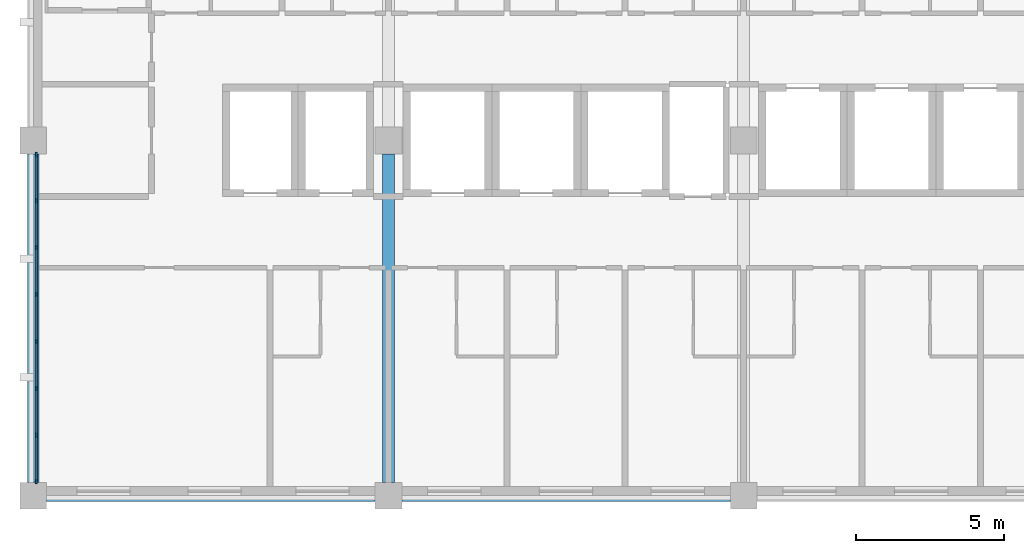
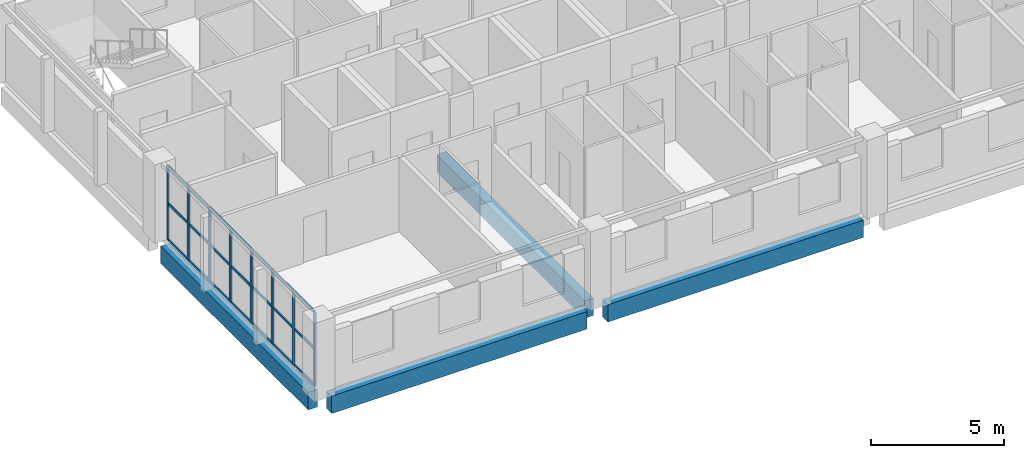
# One storey, part 2 of 11: 29 members, 4 beams, 1 element without a shape of its own.
"""IFC4 building model written with IfcOpenShell, lengths in metres."""

from ifc_helpers import new_model, si_unit, direction, frame, origin, origin_2d, place, context, subcontext, project, spatial, rectangle, extrude, material, layer, layer_set, material_profile, profile_set, type_object, element, aggregate, save


model = new_model("IFC4")

# Units and contexts
model_context = context("Model", 3, precision=1e-05, world=origin(), true_north=direction((0.0, 1.0)))
body_context = subcontext(model_context, "Body", "Model", "MODEL_VIEW")
ifc_project = project(units=[si_unit("LENGTHUNIT", "METRE"), si_unit("AREAUNIT", "SQUARE_METRE"), si_unit("VOLUMEUNIT", "CUBIC_METRE"), si_unit("PLANEANGLEUNIT", "RADIAN"), si_unit("MASSUNIT", "GRAM", prefix="KILO")], contexts=[model_context])

# Site, building, storey
site_placement = place(None, origin())
site = spatial("IfcSite", under=ifc_project, at=site_placement, CompositionType="ELEMENT")
building_placement = place(site_placement, origin())
building = spatial("IfcBuilding", under=site, at=building_placement, Name="Lilac Gate Convention Centre", CompositionType="ELEMENT")
storey_placement = place(building_placement, frame((0.0, 0.0, 24.60009765625)))
storey = spatial("IfcBuildingStorey", under=building, at=storey_placement, Name="L05", CompositionType="ELEMENT", Elevation=24.60009765625)

# Curtain wall, members
ifc_material_1 = material(Name="Aluminium framed double glazing", Category="aluminium")
ifc_layer = layer(ifc_material_1, 0.199951171875)
ifc_layer_set = layer_set([ifc_layer], Name="Aluminium framed double glazing")
curtain_wall_type = type_object("IfcCurtainWallType", Name="Unitised curtain wall 1500", PredefinedType="NOTDEFINED", material=ifc_layer_set)
curtain_wall_placement = place(storey_placement, origin())
curtain_wall = element("IfcCurtainWall", 1, at=curtain_wall_placement, inside=storey, type_object=curtain_wall_type, Name="Curtain wall W L05 2", PredefinedType="NOTDEFINED")
ifc_material_2 = material(Name="Aluminium alloy 6063", Category="aluminium")
ifc_material_profile_1 = material_profile(ifc_material_2, rectangle(XDim=0.06005859375, YDim=0.159912109375, at=origin_2d()), Name="Curtain wall mullion 60 x 160")
ifc_profile_set_1 = profile_set([ifc_material_profile_1], Name="Aluminium alloy 6063")
member_type_1 = type_object("IfcMemberType", Name="Curtain wall mullion 60 x 160", PredefinedType="MULLION", material=ifc_profile_set_1)
member_1_placement = place(storey_placement, frame((42.10009765625, 233.52001953125, 0.0), z_axis=(0.0, 0.0, 1.0), x_axis=(1.0, 0.0, 0.0)))
member_1 = element("IfcMember", 2, at=member_1_placement, type_object=member_type_1, Name="CW mullion 1", PredefinedType="MULLION", context=body_context, shape_type="SweptSolid", body=[
    extrude(rectangle(XDim=0.06005859375, YDim=0.159912109375, at=origin_2d()), origin(), (0.0, 0.0, 1.0), 3.39990234375),
])
member_2_placement = place(storey_placement, frame((42.10009765625, 231.96435546875, 0.0), z_axis=(0.0, 0.0, 1.0), x_axis=(1.0, 0.0, 0.0)))
member_2 = element("IfcMember", 3, at=member_2_placement, type_object=member_type_1, Name="CW mullion 2", PredefinedType="MULLION", context=body_context, shape_type="SweptSolid", body=[
    extrude(rectangle(XDim=0.06005859375, YDim=0.159912109375, at=origin_2d()), origin(), (0.0, 0.0, 1.0), 3.39990234375),
])
member_3_placement = place(storey_placement, frame((42.10009765625, 230.378662109375, 0.0), z_axis=(0.0, 0.0, 1.0), x_axis=(1.0, 0.0, 0.0)))
member_3 = element("IfcMember", 4, at=member_3_placement, type_object=member_type_1, Name="CW mullion 3", PredefinedType="MULLION", context=body_context, shape_type="SweptSolid", body=[
    extrude(rectangle(XDim=0.06005859375, YDim=0.159912109375, at=origin_2d()), origin(), (0.0, 0.0, 1.0), 3.39990234375),
])
member_4_placement = place(storey_placement, frame((42.10009765625, 228.79296875, 0.0), z_axis=(0.0, 0.0, 1.0), x_axis=(1.0, 0.0, 0.0)))
member_4 = element("IfcMember", 5, at=member_4_placement, type_object=member_type_1, Name="CW mullion 4", PredefinedType="MULLION", context=body_context, shape_type="SweptSolid", body=[
    extrude(rectangle(XDim=0.06005859375, YDim=0.159912109375, at=origin_2d()), origin(), (0.0, 0.0, 1.0), 3.39990234375),
])
member_5_placement = place(storey_placement, frame((42.10009765625, 227.20703125, 0.0), z_axis=(0.0, 0.0, 1.0), x_axis=(1.0, 0.0, 0.0)))
member_5 = element("IfcMember", 6, at=member_5_placement, type_object=member_type_1, Name="CW mullion 5", PredefinedType="MULLION", context=body_context, shape_type="SweptSolid", body=[
    extrude(rectangle(XDim=0.06005859375, YDim=0.159912109375, at=origin_2d()), origin(), (0.0, 0.0, 1.0), 3.39990234375),
])
member_6_placement = place(storey_placement, frame((42.10009765625, 225.621337890625, 0.0), z_axis=(0.0, 0.0, 1.0), x_axis=(1.0, 0.0, 0.0)))
member_6 = element("IfcMember", 7, at=member_6_placement, type_object=member_type_1, Name="CW mullion 6", PredefinedType="MULLION", context=body_context, shape_type="SweptSolid", body=[
    extrude(rectangle(XDim=0.06005859375, YDim=0.159912109375, at=origin_2d()), origin(), (0.0, 0.0, 1.0), 3.39990234375),
])
member_7_placement = place(storey_placement, frame((42.10009765625, 224.03564453125, 0.0), z_axis=(0.0, 0.0, 1.0), x_axis=(1.0, 0.0, 0.0)))
member_7 = element("IfcMember", 8, at=member_7_placement, type_object=member_type_1, Name="CW mullion 7", PredefinedType="MULLION", context=body_context, shape_type="SweptSolid", body=[
    extrude(rectangle(XDim=0.06005859375, YDim=0.159912109375, at=origin_2d()), origin(), (0.0, 0.0, 1.0), 3.39990234375),
])
member_8_placement = place(storey_placement, frame((42.10009765625, 222.47998046875, 0.0), z_axis=(0.0, 0.0, 1.0), x_axis=(1.0, 0.0, 0.0)))
member_8 = element("IfcMember", 9, at=member_8_placement, type_object=member_type_1, Name="CW mullion 8", PredefinedType="MULLION", context=body_context, shape_type="SweptSolid", body=[
    extrude(rectangle(XDim=0.06005859375, YDim=0.159912109375, at=origin_2d()), origin(), (0.0, 0.0, 1.0), 3.39990234375),
])
ifc_material_profile_2 = material_profile(ifc_material_2, rectangle(XDim=0.06005859375, YDim=0.1201171875, at=origin_2d()), Name="Curtain wall transom 60 x 120")
ifc_profile_set_2 = profile_set([ifc_material_profile_2], Name="Aluminium alloy 6063")
member_type_2 = type_object("IfcMemberType", Name="Curtain wall transom 60 x 120", PredefinedType="USERDEFINED", material=ifc_profile_set_2)
member_9_placement = place(storey_placement, frame((42.10009765625, 233.489990234375, 0.030029296875), z_axis=(0.0, -1.0, 0.0), x_axis=(1.0, 0.0, 0.0)))
member_9 = element("IfcMember", 10, at=member_9_placement, type_object=member_type_2, Name="CW transom 1.1", ObjectType="TRANSOM", PredefinedType="USERDEFINED", context=body_context, shape_type="SweptSolid", body=[
    extrude(rectangle(XDim=0.06005859375, YDim=0.1201171875, at=origin_2d()), origin(), (0.0, 0.0, 1.0), 1.49560546875),
])
member_10_placement = place(storey_placement, frame((42.10009765625, 233.489990234375, 1.699951171875), z_axis=(0.0, -1.0, 0.0), x_axis=(1.0, 0.0, 0.0)))
member_10 = element("IfcMember", 11, at=member_10_placement, type_object=member_type_2, Name="CW transom 1.2", ObjectType="TRANSOM", PredefinedType="USERDEFINED", context=body_context, shape_type="SweptSolid", body=[
    extrude(rectangle(XDim=0.06005859375, YDim=0.1201171875, at=origin_2d()), origin(), (0.0, 0.0, 1.0), 1.49560546875),
])
member_11_placement = place(storey_placement, frame((42.10009765625, 233.489990234375, 3.369873046875), z_axis=(0.0, -1.0, 0.0), x_axis=(1.0, 0.0, 0.0)))
member_11 = element("IfcMember", 12, at=member_11_placement, type_object=member_type_2, Name="CW transom 1.3", ObjectType="TRANSOM", PredefinedType="USERDEFINED", context=body_context, shape_type="SweptSolid", body=[
    extrude(rectangle(XDim=0.06005859375, YDim=0.1201171875, at=origin_2d()), origin(), (0.0, 0.0, 1.0), 1.49560546875),
])
member_12_placement = place(storey_placement, frame((42.10009765625, 231.934326171875, 0.030029296875), z_axis=(0.0, -1.0, 0.0), x_axis=(1.0, 0.0, 0.0)))
member_12 = element("IfcMember", 13, at=member_12_placement, type_object=member_type_2, Name="CW transom 2.1", ObjectType="TRANSOM", PredefinedType="USERDEFINED", context=body_context, shape_type="SweptSolid", body=[
    extrude(rectangle(XDim=0.06005859375, YDim=0.1201171875, at=origin_2d()), origin(), (0.0, 0.0, 1.0), 1.525634765625),
])
member_13_placement = place(storey_placement, frame((42.10009765625, 231.934326171875, 1.699951171875), z_axis=(0.0, -1.0, 0.0), x_axis=(1.0, 0.0, 0.0)))
member_13 = element("IfcMember", 14, at=member_13_placement, type_object=member_type_2, Name="CW transom 2.2", ObjectType="TRANSOM", PredefinedType="USERDEFINED", context=body_context, shape_type="SweptSolid", body=[
    extrude(rectangle(XDim=0.06005859375, YDim=0.1201171875, at=origin_2d()), origin(), (0.0, 0.0, 1.0), 1.525634765625),
])
member_14_placement = place(storey_placement, frame((42.10009765625, 231.934326171875, 3.369873046875), z_axis=(0.0, -1.0, 0.0), x_axis=(1.0, 0.0, 0.0)))
member_14 = element("IfcMember", 15, at=member_14_placement, type_object=member_type_2, Name="CW transom 2.3", ObjectType="TRANSOM", PredefinedType="USERDEFINED", context=body_context, shape_type="SweptSolid", body=[
    extrude(rectangle(XDim=0.06005859375, YDim=0.1201171875, at=origin_2d()), origin(), (0.0, 0.0, 1.0), 1.525634765625),
])
member_15_placement = place(storey_placement, frame((42.10009765625, 230.3486328125, 0.030029296875), z_axis=(0.0, -1.0, 0.0), x_axis=(1.0, 0.0, 0.0)))
member_15 = element("IfcMember", 16, at=member_15_placement, type_object=member_type_2, Name="CW transom 3.1", ObjectType="TRANSOM", PredefinedType="USERDEFINED", context=body_context, shape_type="SweptSolid", body=[
    extrude(rectangle(XDim=0.06005859375, YDim=0.1201171875, at=origin_2d()), origin(), (0.0, 0.0, 1.0), 1.52587890625),
])
member_16_placement = place(storey_placement, frame((42.10009765625, 230.3486328125, 1.699951171875), z_axis=(0.0, -1.0, 0.0), x_axis=(1.0, 0.0, 0.0)))
member_16 = element("IfcMember", 17, at=member_16_placement, type_object=member_type_2, Name="CW transom 3.2", ObjectType="TRANSOM", PredefinedType="USERDEFINED", context=body_context, shape_type="SweptSolid", body=[
    extrude(rectangle(XDim=0.06005859375, YDim=0.1201171875, at=origin_2d()), origin(), (0.0, 0.0, 1.0), 1.52587890625),
])
member_17_placement = place(storey_placement, frame((42.10009765625, 230.3486328125, 3.369873046875), z_axis=(0.0, -1.0, 0.0), x_axis=(1.0, 0.0, 0.0)))
member_17 = element("IfcMember", 18, at=member_17_placement, type_object=member_type_2, Name="CW transom 3.3", ObjectType="TRANSOM", PredefinedType="USERDEFINED", context=body_context, shape_type="SweptSolid", body=[
    extrude(rectangle(XDim=0.06005859375, YDim=0.1201171875, at=origin_2d()), origin(), (0.0, 0.0, 1.0), 1.52587890625),
])
member_18_placement = place(storey_placement, frame((42.10009765625, 228.762939453125, 0.030029296875), z_axis=(0.0, -1.0, 0.0), x_axis=(1.0, 0.0, 0.0)))
member_18 = element("IfcMember", 19, at=member_18_placement, type_object=member_type_2, Name="CW transom 4.1", ObjectType="TRANSOM", PredefinedType="USERDEFINED", context=body_context, shape_type="SweptSolid", body=[
    extrude(rectangle(XDim=0.06005859375, YDim=0.1201171875, at=origin_2d()), origin(), (0.0, 0.0, 1.0), 1.52587890625),
])
member_19_placement = place(storey_placement, frame((42.10009765625, 228.762939453125, 1.699951171875), z_axis=(0.0, -1.0, 0.0), x_axis=(1.0, 0.0, 0.0)))
member_19 = element("IfcMember", 20, at=member_19_placement, type_object=member_type_2, Name="CW transom 4.2", ObjectType="TRANSOM", PredefinedType="USERDEFINED", context=body_context, shape_type="SweptSolid", body=[
    extrude(rectangle(XDim=0.06005859375, YDim=0.1201171875, at=origin_2d()), origin(), (0.0, 0.0, 1.0), 1.52587890625),
])
member_20_placement = place(storey_placement, frame((42.10009765625, 228.762939453125, 3.369873046875), z_axis=(0.0, -1.0, 0.0), x_axis=(1.0, 0.0, 0.0)))
member_20 = element("IfcMember", 21, at=member_20_placement, type_object=member_type_2, Name="CW transom 4.3", ObjectType="TRANSOM", PredefinedType="USERDEFINED", context=body_context, shape_type="SweptSolid", body=[
    extrude(rectangle(XDim=0.06005859375, YDim=0.1201171875, at=origin_2d()), origin(), (0.0, 0.0, 1.0), 1.52587890625),
])
member_21_placement = place(storey_placement, frame((42.10009765625, 227.17724609375, 0.030029296875), z_axis=(0.0, -1.0, 0.0), x_axis=(1.0, 0.0, 0.0)))
member_21 = element("IfcMember", 22, at=member_21_placement, type_object=member_type_2, Name="CW transom 5.1", ObjectType="TRANSOM", PredefinedType="USERDEFINED", context=body_context, shape_type="SweptSolid", body=[
    extrude(rectangle(XDim=0.06005859375, YDim=0.1201171875, at=origin_2d()), origin(), (0.0, 0.0, 1.0), 1.52587890625),
])
member_22_placement = place(storey_placement, frame((42.10009765625, 227.17724609375, 1.699951171875), z_axis=(0.0, -1.0, 0.0), x_axis=(1.0, 0.0, 0.0)))
member_22 = element("IfcMember", 23, at=member_22_placement, type_object=member_type_2, Name="CW transom 5.2", ObjectType="TRANSOM", PredefinedType="USERDEFINED", context=body_context, shape_type="SweptSolid", body=[
    extrude(rectangle(XDim=0.06005859375, YDim=0.1201171875, at=origin_2d()), origin(), (0.0, 0.0, 1.0), 1.52587890625),
])
member_23_placement = place(storey_placement, frame((42.10009765625, 227.17724609375, 3.369873046875), z_axis=(0.0, -1.0, 0.0), x_axis=(1.0, 0.0, 0.0)))
member_23 = element("IfcMember", 24, at=member_23_placement, type_object=member_type_2, Name="CW transom 5.3", ObjectType="TRANSOM", PredefinedType="USERDEFINED", context=body_context, shape_type="SweptSolid", body=[
    extrude(rectangle(XDim=0.06005859375, YDim=0.1201171875, at=origin_2d()), origin(), (0.0, 0.0, 1.0), 1.52587890625),
])
member_24_placement = place(storey_placement, frame((42.10009765625, 225.59130859375, 0.030029296875), z_axis=(0.0, -1.0, 0.0), x_axis=(1.0, 0.0, 0.0)))
member_24 = element("IfcMember", 25, at=member_24_placement, type_object=member_type_2, Name="CW transom 6.1", ObjectType="TRANSOM", PredefinedType="USERDEFINED", context=body_context, shape_type="SweptSolid", body=[
    extrude(rectangle(XDim=0.06005859375, YDim=0.1201171875, at=origin_2d()), origin(), (0.0, 0.0, 1.0), 1.525634765625),
])
member_25_placement = place(storey_placement, frame((42.10009765625, 225.59130859375, 1.699951171875), z_axis=(0.0, -1.0, 0.0), x_axis=(1.0, 0.0, 0.0)))
member_25 = element("IfcMember", 26, at=member_25_placement, type_object=member_type_2, Name="CW transom 6.2", ObjectType="TRANSOM", PredefinedType="USERDEFINED", context=body_context, shape_type="SweptSolid", body=[
    extrude(rectangle(XDim=0.06005859375, YDim=0.1201171875, at=origin_2d()), origin(), (0.0, 0.0, 1.0), 1.525634765625),
])
member_26_placement = place(storey_placement, frame((42.10009765625, 225.59130859375, 3.369873046875), z_axis=(0.0, -1.0, 0.0), x_axis=(1.0, 0.0, 0.0)))
member_26 = element("IfcMember", 27, at=member_26_placement, type_object=member_type_2, Name="CW transom 6.3", ObjectType="TRANSOM", PredefinedType="USERDEFINED", context=body_context, shape_type="SweptSolid", body=[
    extrude(rectangle(XDim=0.06005859375, YDim=0.1201171875, at=origin_2d()), origin(), (0.0, 0.0, 1.0), 1.525634765625),
])
member_27_placement = place(storey_placement, frame((42.10009765625, 224.005615234375, 0.030029296875), z_axis=(0.0, -1.0, 0.0), x_axis=(1.0, 0.0, 0.0)))
member_27 = element("IfcMember", 28, at=member_27_placement, type_object=member_type_2, Name="CW transom 7.1", ObjectType="TRANSOM", PredefinedType="USERDEFINED", context=body_context, shape_type="SweptSolid", body=[
    extrude(rectangle(XDim=0.06005859375, YDim=0.1201171875, at=origin_2d()), origin(), (0.0, 0.0, 1.0), 1.49560546875),
])
member_28_placement = place(storey_placement, frame((42.10009765625, 224.005615234375, 1.699951171875), z_axis=(0.0, -1.0, 0.0), x_axis=(1.0, 0.0, 0.0)))
member_28 = element("IfcMember", 29, at=member_28_placement, type_object=member_type_2, Name="CW transom 7.2", ObjectType="TRANSOM", PredefinedType="USERDEFINED", context=body_context, shape_type="SweptSolid", body=[
    extrude(rectangle(XDim=0.06005859375, YDim=0.1201171875, at=origin_2d()), origin(), (0.0, 0.0, 1.0), 1.49560546875),
])
member_29_placement = place(storey_placement, frame((42.10009765625, 224.005615234375, 3.369873046875), z_axis=(0.0, -1.0, 0.0), x_axis=(1.0, 0.0, 0.0)))
member_29 = element("IfcMember", 30, at=member_29_placement, type_object=member_type_2, Name="CW transom 7.3", ObjectType="TRANSOM", PredefinedType="USERDEFINED", context=body_context, shape_type="SweptSolid", body=[
    extrude(rectangle(XDim=0.06005859375, YDim=0.1201171875, at=origin_2d()), origin(), (0.0, 0.0, 1.0), 1.49560546875),
])
aggregate(curtain_wall, [member_1, member_2, member_3, member_4, member_5, member_6, member_7, member_8, member_9, member_10, member_11, member_12, member_13, member_14, member_15, member_16, member_17, member_18, member_19, member_20, member_21, member_22, member_23, member_24, member_25, member_26, member_27, member_28, member_29])

# Beams
ifc_material_3 = material(Name="Concrete C40", Category="concrete")
ifc_material_profile_3 = material_profile(ifc_material_3, rectangle(XDim=0.39990234375, YDim=0.800048828125, at=origin_2d()), Name="RC 400x800")
ifc_profile_set_3 = profile_set([ifc_material_profile_3], Name="Concrete C40")
beam_type = type_object("IfcBeamType", Name="Tower primary beam 400x800 C40", PredefinedType="BEAM", material=ifc_profile_set_3)
for number, where, z_axis, x_axis, name in (
    (31, (42.449951171875, 222.0, -0.60009765625), (1.0, 0.0, 0.0), (0.0, 1.0, 0.0), "RB3 L05 4/S-5/S"),
    (32, (54.449951171875, 222.0, -0.60009765625), (1.0, 0.0, 0.0), (0.0, 1.0, 0.0), "RB3 L05 5/S-6/S"),
    (33, (42.0, 222.449951171875, -0.60009765625), (0.0, 1.0, 0.0), (-1.0, 0.0, 0.0), "RB3 L05 4/S-4/T"),
    (34, (54.0, 222.449951171875, -0.60009765625), (0.0, 1.0, 0.0), (-1.0, 0.0, 0.0), "RB3 L05 5/S-5/T"),
):
    element("IfcBeam", number, at=place(storey_placement, frame(where, z_axis=z_axis, x_axis=x_axis)), inside=storey, type_object=beam_type, Name=name, PredefinedType="BEAM", context=body_context, shape_type="SweptSolid", body=[
        extrude(rectangle(XDim=0.39990234375, YDim=0.800048828125, at=origin_2d()), origin(), (0.0, 0.0, 1.0), 11.10009765625),
    ])

save(model, "model.ifc")
